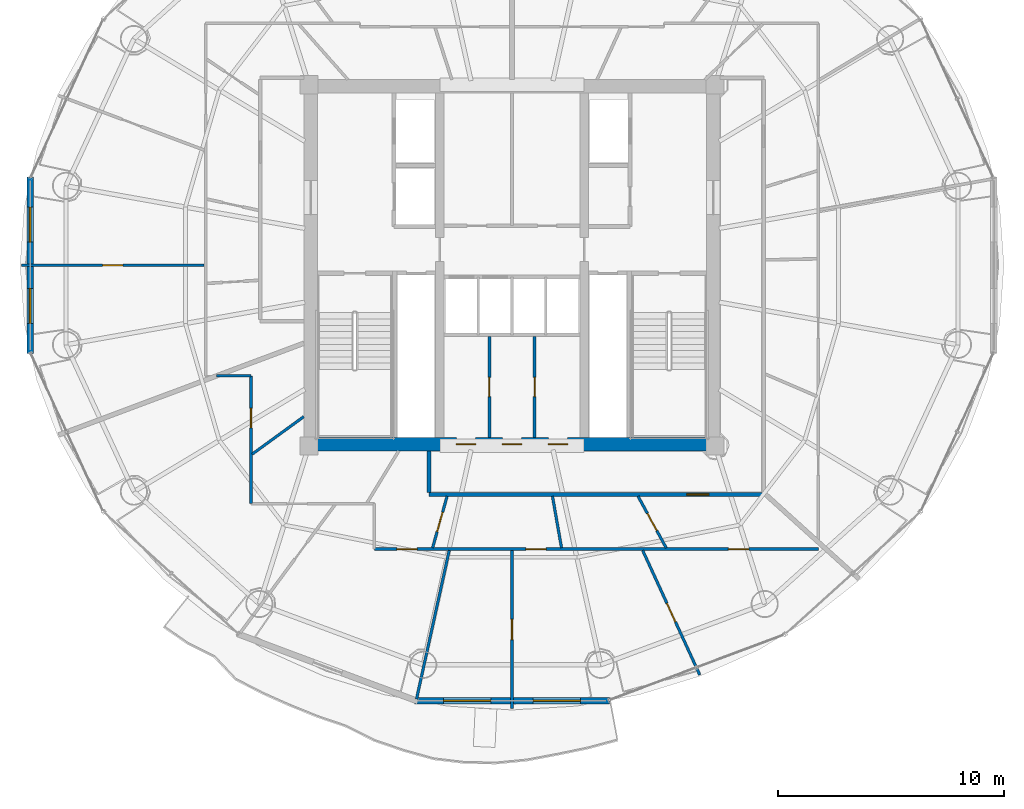
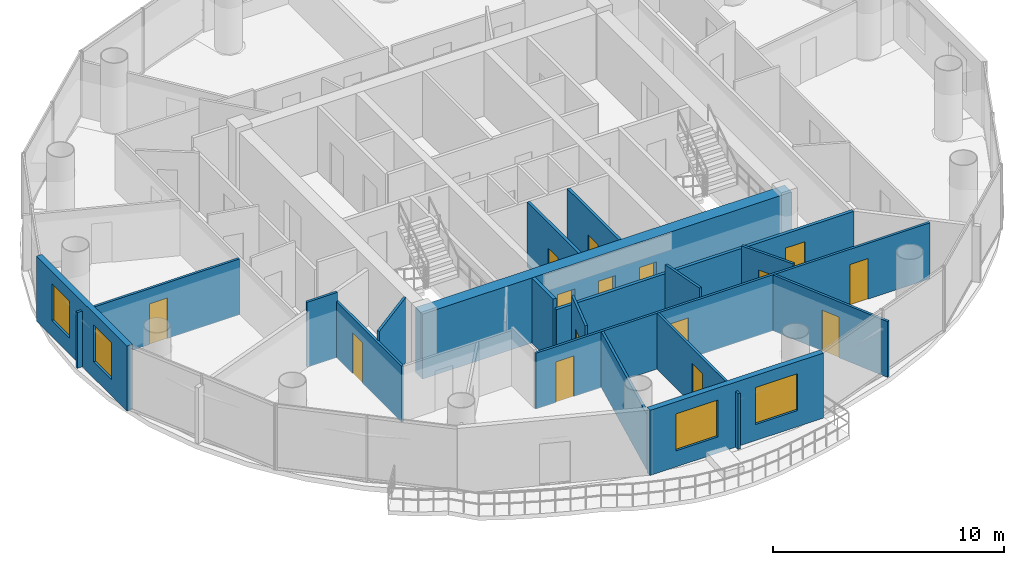
# One storey, part 20 of 26: 18 walls, 15 doors, 4 windows, 19 openings.
"""IFC4 building model written with IfcOpenShell, lengths in metres."""

from ifc_helpers import new_model, si_unit, direction, frame, frame_2d, origin, place, context, subcontext, project, spatial, rectangle, extrude, source, transform, mapped, material, layer, layer_set, type_object, element, fill, save


model = new_model("IFC4")

# Units and contexts
model_context = context("Model", 3, precision=1e-05, world=origin(), true_north=direction((-0.2419218956, 0.970295726276)))
body_context = subcontext(model_context, "Body", "Model", "MODEL_VIEW")
ifc_project = project(units=[si_unit("LENGTHUNIT", "METRE"), si_unit("AREAUNIT", "SQUARE_METRE"), si_unit("VOLUMEUNIT", "CUBIC_METRE"), si_unit("PLANEANGLEUNIT", "RADIAN"), si_unit("MASSUNIT", "GRAM", prefix="KILO")], contexts=[model_context])

# Site, building, storey
site_placement = place(None, origin())
site = spatial("IfcSite", under=ifc_project, at=site_placement, CompositionType="ELEMENT")
building_placement = place(site_placement, origin())
building = spatial("IfcBuilding", under=site, at=building_placement, Name="Cobrevalo Terracotta Tower", CompositionType="ELEMENT")
storey_placement = place(building_placement, frame((0.0, 0.0, 202.300048828125)))
storey = spatial("IfcBuildingStorey", under=building, at=storey_placement, Name="L53", CompositionType="ELEMENT", Elevation=202.300048828125)

# Wall, openings, doors
ifc_material_1 = material(Name="Concrete C55", Category="concrete")
ifc_layer_1 = layer(ifc_material_1, 0.60009765625)
ifc_layer_set_1 = layer_set([ifc_layer_1], Name="Concrete C55")
wall_type_1 = type_object("IfcWallType", Name="Core shear wall 600 mm Concrete C55", PredefinedType="SHEAR", material=ifc_layer_set_1)
wall_1_placement = place(storey_placement, frame((28.77490234375, 18.875, 0.0), z_axis=(0.0, 0.0, 1.0), x_axis=(1.0, 0.0, 0.0)))
wall_1 = element("IfcWall", 1, at=wall_1_placement, inside=storey, type_object=wall_type_1, Name="L53 south core shear wall", PredefinedType="SHEAR", context=body_context, shape_type="SweptSolid", body=[
    extrude(rectangle(XDim=18.4501953125, YDim=0.60009765625, at=frame_2d((9.22509765625, 0.0))), origin(), (0.0, 0.0, 1.0), 3.43505859375),
])
opening_1_placement = place(wall_1_placement, frame((6.760009765625, 0.0, 0.0)))
opening_1 = element("IfcOpeningElement", 2, at=opening_1_placement, cuts=wall_1, Name="Opening ID-22", PredefinedType="OPENING", context=body_context, shape_type="SweptSolid", body=[
    extrude(rectangle(XDim=0.85009765625, YDim=2.10009765625, at=frame_2d((0.425048828125, 1.050048828125))), frame((0.0, 0.31005859375, 0.0), z_axis=(0.0, -1.0, 0.0), x_axis=(1.0, 0.0, 0.0)), (0.0, 0.0, 1.0), 0.6201171875),
])
opening_2_placement = place(wall_1_placement, frame((8.800048828125, 0.0, 0.0)))
opening_2 = element("IfcOpeningElement", 3, at=opening_2_placement, cuts=wall_1, Name="Opening ID-22", PredefinedType="OPENING", context=body_context, shape_type="SweptSolid", body=[
    extrude(rectangle(XDim=0.85009765625, YDim=2.10009765625, at=frame_2d((0.425048828125, 1.050048828125))), frame((0.0, 0.31005859375, 0.0), z_axis=(0.0, -1.0, 0.0), x_axis=(1.0, 0.0, 0.0)), (0.0, 0.0, 1.0), 0.6201171875),
])
opening_3_placement = place(wall_1_placement, frame((10.840087890625, 0.0, 0.0)))
opening_3 = element("IfcOpeningElement", 4, at=opening_3_placement, cuts=wall_1, Name="Opening ID-22", PredefinedType="OPENING", context=body_context, shape_type="SweptSolid", body=[
    extrude(rectangle(XDim=0.85009765625, YDim=2.10009765625, at=frame_2d((0.425048828125, 1.050048828125))), frame((0.0, 0.31005859375, 0.0), z_axis=(0.0, -1.0, 0.0), x_axis=(1.0, 0.0, 0.0)), (0.0, 0.0, 1.0), 0.6201171875),
])
ifc_material_2 = material(Name="Powder-coated steel", Category="steel")
door_type_1 = type_object("IfcDoorType", Name="Riser shaft & meter closet fire access door 850x2100 EI 60", OperationType="NOTDEFINED", PredefinedType="DOOR", material=ifc_material_2)
shared_shape_1 = source(origin(), body_context, "Body", "SweptSolid", [
    extrude(rectangle(XDim=0.85009765625, YDim=2.10009765625, at=frame_2d((0.425048828125, 1.050048828125))), frame((0.0, 0.02490234375, 0.0), z_axis=(0.0, -1.0, 0.0), x_axis=(1.0, 0.0, 0.0)), (0.0, 0.0, 1.0), 0.050048828125),
])
door_1_placement = place(opening_1_placement, origin())
door_1 = element("IfcDoor", 5, at=door_1_placement, inside=storey, type_object=door_type_1, Name="L53 core south plant door HVAC Supply Air Plant", OperationType="SINGLE_SWING_RIGHT", OverallHeight=2.10009765625, OverallWidth=0.85009765625, PredefinedType="DOOR", context=body_context, shape_type="MappedRepresentation", body=[
    mapped(shared_shape_1, transform((0.0, 0.0, 0.0), scale=1.0)),
])
fill(opening_1, door_1)
door_2_placement = place(opening_2_placement, origin())
door_2 = element("IfcDoor", 6, at=door_2_placement, inside=storey, type_object=door_type_1, Name="L53 core south plant door Refuse Chute Store Room", OperationType="SINGLE_SWING_RIGHT", OverallHeight=2.10009765625, OverallWidth=0.85009765625, PredefinedType="DOOR", context=body_context, shape_type="MappedRepresentation", body=[
    mapped(shared_shape_1, transform((0.0, 0.0, 0.0), scale=1.0)),
])
fill(opening_2, door_2)
door_3_placement = place(opening_3_placement, origin())
door_3 = element("IfcDoor", 7, at=door_3_placement, inside=storey, type_object=door_type_1, Name="L53 core south plant door Hydronic Pump Manifold Plant", OperationType="SINGLE_SWING_RIGHT", OverallHeight=2.10009765625, OverallWidth=0.85009765625, PredefinedType="DOOR", context=body_context, shape_type="MappedRepresentation", body=[
    mapped(shared_shape_1, transform((0.0, 0.0, 0.0), scale=1.0)),
])
fill(opening_3, door_3)

# Wall, opening, door
ifc_material_3 = material(Name="Gypsum board on steel stud", Category="steel")
ifc_layer_2 = layer(ifc_material_3, 0.159912109375)
ifc_layer_set_2 = layer_set([ifc_layer_2], Name="Gypsum board on steel stud")
wall_type_2 = type_object("IfcWallType", Name="Fire-rated corridor acoustic partition wall 160 mm", PredefinedType="PARTITIONING", material=ifc_layer_set_2)
wall_2_placement = place(storey_placement, frame((34.320068359375, 16.64501953125, 0.0), z_axis=(0.0, 0.0, 1.0), x_axis=(1.0, 0.0, 0.0)))
wall_2 = element("IfcWall", 8, at=wall_2_placement, inside=storey, type_object=wall_type_2, Name="L53 interior partition IW-L53-COR-S", PredefinedType="PARTITIONING", context=body_context, shape_type="SweptSolid", body=[
    extrude(rectangle(XDim=14.8349609375, YDim=0.159912109375, at=frame_2d((7.41748046875, 0.0))), origin(), (0.0, 0.0, 1.0), 2.950927734375),
])
opening_4_placement = place(wall_2_placement, frame((11.426025390625, 0.0, 0.0)))
opening_4 = element("IfcOpeningElement", 9, at=opening_4_placement, cuts=wall_2, Name="Opening ID-05", PredefinedType="OPENING", context=body_context, shape_type="SweptSolid", body=[
    extrude(rectangle(XDim=0.97998046875, YDim=2.199951171875, at=frame_2d((0.489990234375, 1.10009765625))), frame((0.0, 0.08984375, 0.0), z_axis=(0.0, -1.0, 0.0), x_axis=(1.0, 0.0, 0.0)), (0.0, 0.0, 1.0), 0.179931640625),
])
ifc_material_4 = material(Name="Solid hardwood timber", Category="wood")
door_type_2 = type_object("IfcDoorType", Name="Residence entrance fire-rated acoustic timber door 980x2200 EI 60", OperationType="NOTDEFINED", PredefinedType="DOOR", material=ifc_material_4)
shared_shape_2 = source(origin(), body_context, "Body", "SweptSolid", [
    extrude(rectangle(XDim=0.97998046875, YDim=2.199951171875, at=frame_2d((0.489990234375, 1.10009765625))), frame((0.0, 0.02490234375, 0.0), z_axis=(0.0, -1.0, 0.0), x_axis=(1.0, 0.0, 0.0)), (0.0, 0.0, 1.0), 0.050048828125),
])
door_4_placement = place(opening_4_placement, frame((0.97998046875, 0.0, 0.0), z_axis=(0.0, 0.0, 1.0), x_axis=(-1.0, 0.0, 0.0)))
door_4 = element("IfcDoor", 10, at=door_4_placement, inside=storey, type_object=door_type_2, Name="Flat L53B fire-rated apartment entrance door", OperationType="SINGLE_SWING_RIGHT", OverallHeight=2.199951171875, OverallWidth=0.97998046875, PredefinedType="DOOR", context=body_context, shape_type="MappedRepresentation", body=[
    mapped(shared_shape_2, transform((0.0, 0.0, 0.0), scale=1.0)),
])
fill(opening_4, door_4)

# Wall
wall_3_placement = place(storey_placement, frame((34.320068359375, 16.72509765625, 0.0), z_axis=(0.0, 0.0, 1.0), x_axis=(0.0, 1.0, 0.0)))
element("IfcWall", 11, at=wall_3_placement, inside=storey, type_object=wall_type_2, Name="L53 interior partition IW-L53-COR-SW-CAP", PredefinedType="PARTITIONING", context=body_context, shape_type="SweptSolid", body=[
    extrude(rectangle(XDim=1.849853515625, YDim=0.159912109375, at=frame_2d((0.9248046875, 0.0))), origin(), (0.0, 0.0, 1.0), 3.43505859375),
])

# Wall, openings, windows
ifc_material_5 = material(Name="Autoclaved aerated concrete block", Category="concrete")
ifc_layer_3 = layer(ifc_material_5, 0.280029296875)
ifc_layer_set_3 = layer_set([ifc_layer_3], Name="Autoclaved aerated concrete block")
wall_type_3 = type_object("IfcWallType", Name="Insulated tower spandrel & pier wall 280 mm with terracotta rainscreen", PredefinedType="SOLIDWALL", material=ifc_layer_set_3)
wall_4_placement = place(storey_placement, frame((16.648193359375, 30.717529296875, 0.0), z_axis=(0.0, 0.0, 1.0), x_axis=(0.0, -1.0, 0.0)))
wall_4 = element("IfcWall", 12, at=wall_4_placement, inside=storey, type_object=wall_type_3, Name="L53 terracotta rainscreen pier wall S08", PredefinedType="SOLIDWALL", context=body_context, shape_type="SweptSolid", body=[
    extrude(rectangle(XDim=7.8349609375, YDim=0.280029296875, at=frame_2d((3.91748046875, 0.0))), origin(), (0.0, 0.0, 1.0), 3.43505859375),
])
opening_5_placement = place(wall_4_placement, frame((1.34033203125, 0.0, 0.85009765625)))
opening_5 = element("IfcOpeningElement", 13, at=opening_5_placement, cuts=wall_4, Name="Opening WN-12", PredefinedType="OPENING", context=body_context, shape_type="SweptSolid", body=[
    extrude(rectangle(XDim=1.550048828125, YDim=1.949951171875, at=frame_2d((0.77490234375, 0.97509765625))), frame((0.0, 0.14990234375, 0.0), z_axis=(0.0, -1.0, 0.0), x_axis=(1.0, 0.0, 0.0)), (0.0, 0.0, 1.0), 0.300048828125),
])
opening_6_placement = place(wall_4_placement, frame((4.9443359375, 0.0, 0.85009765625)))
opening_6 = element("IfcOpeningElement", 14, at=opening_6_placement, cuts=wall_4, Name="Opening WN-12", PredefinedType="OPENING", context=body_context, shape_type="SweptSolid", body=[
    extrude(rectangle(XDim=1.550048828125, YDim=1.949951171875, at=frame_2d((0.77490234375, 0.97509765625))), frame((0.0, 0.14990234375, 0.0), z_axis=(0.0, -1.0, 0.0), x_axis=(1.0, 0.0, 0.0)), (0.0, 0.0, 1.0), 0.300048828125),
])
ifc_material_6 = material(Name="Solar-control low-E double glazing", Category="glass")
window_type_1 = type_object("IfcWindowType", Name="Solar-control low-E aluminium window 1550x1950", PartitioningType="SINGLE_PANEL", PredefinedType="WINDOW", material=ifc_material_6)
shared_shape_3 = source(origin(), body_context, "Body", "SweptSolid", [
    extrude(rectangle(XDim=1.550048828125, YDim=1.949951171875, at=frame_2d((0.77490234375, 0.97509765625))), frame((0.0, 0.030029296875, 0.0), z_axis=(0.0, -1.0, 0.0), x_axis=(1.0, 0.0, 0.0)), (0.0, 0.0, 1.0), 0.06005859375),
])
window_1_placement = place(opening_5_placement, origin())
window_1 = element("IfcWindow", 15, at=window_1_placement, inside=storey, type_object=window_type_1, Name="L53 suite window S08A", OverallHeight=1.949951171875, OverallWidth=1.550048828125, PartitioningType="SINGLE_PANEL", PredefinedType="WINDOW", context=body_context, shape_type="MappedRepresentation", body=[
    mapped(shared_shape_3, transform((0.0, 0.0, 0.0), scale=1.0)),
])
fill(opening_5, window_1)
window_2_placement = place(opening_6_placement, origin())
window_2 = element("IfcWindow", 16, at=window_2_placement, inside=storey, type_object=window_type_1, Name="L53 suite window S08B", OverallHeight=1.949951171875, OverallWidth=1.550048828125, PartitioningType="SINGLE_PANEL", PredefinedType="WINDOW", context=body_context, shape_type="MappedRepresentation", body=[
    mapped(shared_shape_3, transform((0.0, 0.0, 0.0), scale=1.0)),
])
fill(opening_6, window_2)

wall_5_placement = place(storey_placement, frame((33.6728515625, 7.508056640625, 0.0), z_axis=(0.0, 0.0, 1.0), x_axis=(1.0, 0.0, 0.0)))
wall_5 = element("IfcWall", 17, at=wall_5_placement, inside=storey, type_object=wall_type_3, Name="L53 terracotta rainscreen pier wall S12", PredefinedType="SOLIDWALL", context=body_context, shape_type="SweptSolid", body=[
    extrude(rectangle(XDim=8.654296875, YDim=0.280029296875, at=frame_2d((4.3271484375, 0.0))), origin(), (0.0, 0.0, 1.0), 3.43505859375),
])
opening_7_placement = place(wall_5_placement, frame((1.28662109375, 0.0, 0.85009765625)))
opening_7 = element("IfcOpeningElement", 18, at=opening_7_placement, cuts=wall_5, Name="Opening WN-10", PredefinedType="OPENING", context=body_context, shape_type="SweptSolid", body=[
    extrude(rectangle(XDim=2.10009765625, YDim=1.949951171875, at=frame_2d((1.050048828125, 0.97509765625))), frame((0.0, 0.14990234375, 0.0), z_axis=(0.0, -1.0, 0.0), x_axis=(1.0, 0.0, 0.0)), (0.0, 0.0, 1.0), 0.300048828125),
])
opening_8_placement = place(wall_5_placement, frame((5.267578125, 0.0, 0.85009765625)))
opening_8 = element("IfcOpeningElement", 19, at=opening_8_placement, cuts=wall_5, Name="Opening WN-10", PredefinedType="OPENING", context=body_context, shape_type="SweptSolid", body=[
    extrude(rectangle(XDim=2.10009765625, YDim=1.949951171875, at=frame_2d((1.050048828125, 0.97509765625))), frame((0.0, 0.14990234375, 0.0), z_axis=(0.0, -1.0, 0.0), x_axis=(1.0, 0.0, 0.0)), (0.0, 0.0, 1.0), 0.300048828125),
])
window_type_2 = type_object("IfcWindowType", Name="Wide panoramic low-E aluminium window 2100x1950", PartitioningType="SINGLE_PANEL", PredefinedType="WINDOW", material=ifc_material_6)
shared_shape_4 = source(origin(), body_context, "Body", "SweptSolid", [
    extrude(rectangle(XDim=2.10009765625, YDim=1.949951171875, at=frame_2d((1.050048828125, 0.97509765625))), frame((0.0, 0.030029296875, 0.0), z_axis=(0.0, -1.0, 0.0), x_axis=(1.0, 0.0, 0.0)), (0.0, 0.0, 1.0), 0.06005859375),
])
window_3_placement = place(opening_7_placement, origin())
window_3 = element("IfcWindow", 20, at=window_3_placement, inside=storey, type_object=window_type_2, Name="L53 suite window S12A", OverallHeight=1.949951171875, OverallWidth=2.10009765625, PartitioningType="SINGLE_PANEL", PredefinedType="WINDOW", context=body_context, shape_type="MappedRepresentation", body=[
    mapped(shared_shape_4, transform((0.0, 0.0, 0.0), scale=1.0)),
])
fill(opening_7, window_3)
window_4_placement = place(opening_8_placement, origin())
window_4 = element("IfcWindow", 21, at=window_4_placement, inside=storey, type_object=window_type_2, Name="L53 suite window S12B", OverallHeight=1.949951171875, OverallWidth=2.10009765625, PartitioningType="SINGLE_PANEL", PredefinedType="WINDOW", context=body_context, shape_type="MappedRepresentation", body=[
    mapped(shared_shape_4, transform((0.0, 0.0, 0.0), scale=1.0)),
])
fill(opening_8, window_4)

# Wall, opening, door
ifc_layer_4 = layer(ifc_material_5, 0.139892578125)
ifc_layer_set_4 = layer_set([ifc_layer_4], Name="Autoclaved aerated concrete block")
wall_type_4 = type_object("IfcWallType", Name="Moisture-resistant wet-room & core service partition 140 mm", PredefinedType="PARTITIONING", material=ifc_layer_set_4)
wall_6_placement = place(storey_placement, frame((37.0, 19.175048828125, 0.0), z_axis=(0.0, 0.0, 1.0), x_axis=(0.0, 1.0, 0.0)))
wall_6 = element("IfcWall", 22, at=wall_6_placement, inside=storey, type_object=wall_type_4, Name="L53 interior partition IW-L53-KVS-V1", PredefinedType="PARTITIONING", context=body_context, shape_type="SweptSolid", body=[
    extrude(rectangle(XDim=4.46484375, YDim=0.139892578125, at=frame_2d((2.232421875, 0.0))), origin(), (0.0, 0.0, 1.0), 3.43505859375),
])
opening_9_placement = place(wall_6_placement, frame((1.8076171875, 0.0, 0.0)))
opening_9 = element("IfcOpeningElement", 23, at=opening_9_placement, cuts=wall_6, Name="Opening ID-22", PredefinedType="OPENING", context=body_context, shape_type="SweptSolid", body=[
    extrude(rectangle(XDim=0.85009765625, YDim=2.10009765625, at=frame_2d((0.425048828125, 1.050048828125))), frame((0.0, 0.080078125, 0.0), z_axis=(0.0, -1.0, 0.0), x_axis=(1.0, 0.0, 0.0)), (0.0, 0.0, 1.0), 0.159912109375),
])
door_5_placement = place(opening_9_placement, origin())
door_5 = element("IfcDoor", 24, at=door_5_placement, inside=storey, type_object=door_type_1, Name="L53 core KVS-V1 inner door", OperationType="SINGLE_SWING_LEFT", OverallHeight=2.10009765625, OverallWidth=0.85009765625, PredefinedType="DOOR", context=body_context, shape_type="MappedRepresentation", body=[
    mapped(shared_shape_1, transform((0.0, 0.0, 0.0), scale=1.0)),
])
fill(opening_9, door_5)

wall_7_placement = place(storey_placement, frame((39.0, 19.175048828125, 0.0), z_axis=(0.0, 0.0, 1.0), x_axis=(0.0, 1.0, 0.0)))
wall_7 = element("IfcWall", 25, at=wall_7_placement, inside=storey, type_object=wall_type_4, Name="L53 interior partition IW-L53-KVS-V2", PredefinedType="PARTITIONING", context=body_context, shape_type="SweptSolid", body=[
    extrude(rectangle(XDim=4.46484375, YDim=0.139892578125, at=frame_2d((2.232421875, 0.0))), origin(), (0.0, 0.0, 1.0), 3.43505859375),
])
opening_10_placement = place(wall_7_placement, frame((1.8076171875, 0.0, 0.0)))
opening_10 = element("IfcOpeningElement", 26, at=opening_10_placement, cuts=wall_7, Name="Opening ID-22", PredefinedType="OPENING", context=body_context, shape_type="SweptSolid", body=[
    extrude(rectangle(XDim=0.85009765625, YDim=2.10009765625, at=frame_2d((0.425048828125, 1.050048828125))), frame((0.0, 0.080078125, 0.0), z_axis=(0.0, -1.0, 0.0), x_axis=(1.0, 0.0, 0.0)), (0.0, 0.0, 1.0), 0.159912109375),
])
door_6_placement = place(opening_10_placement, origin())
door_6 = element("IfcDoor", 27, at=door_6_placement, inside=storey, type_object=door_type_1, Name="L53 core KVS-V2 inner door", OperationType="SINGLE_SWING_LEFT", OverallHeight=2.10009765625, OverallWidth=0.85009765625, PredefinedType="DOOR", context=body_context, shape_type="MappedRepresentation", body=[
    mapped(shared_shape_1, transform((0.0, 0.0, 0.0), scale=1.0)),
])
fill(opening_10, door_6)

ifc_layer_5 = layer(ifc_material_3, 0.1201171875)
ifc_layer_set_5 = layer_set([ifc_layer_5], Name="Gypsum board on steel stud")
wall_type_5 = type_object("IfcWallType", Name="Residential internal acoustic stud partition 120 mm", PredefinedType="PARTITIONING", material=ifc_layer_set_5)
wall_8_placement = place(storey_placement, frame((24.363037109375, 26.800048828125, 0.0), z_axis=(0.0, 0.0, 1.0), x_axis=(-1.0, 0.0, 0.0)))
wall_8 = element("IfcWall", 28, at=wall_8_placement, inside=storey, type_object=wall_type_5, Name="L53 interior partition IW-L53-U1-ORAD3", PredefinedType="PARTITIONING", context=body_context, shape_type="SweptSolid", body=[
    extrude(rectangle(XDim=8.10302734375, YDim=0.1201171875, at=frame_2d((4.051513671875, 0.0))), origin(), (0.0, 0.0, 1.0), 2.950927734375),
])
opening_11_placement = place(wall_8_placement, frame((3.6015625, 0.0, 0.0)))
opening_11 = element("IfcOpeningElement", 29, at=opening_11_placement, cuts=wall_8, Name="Opening ID-12", PredefinedType="OPENING", context=body_context, shape_type="SweptSolid", body=[
    extrude(rectangle(XDim=0.89990234375, YDim=2.14990234375, at=frame_2d((0.449951171875, 1.074951171875))), frame((0.0, 0.070068359375, 0.0), z_axis=(0.0, -1.0, 0.0), x_axis=(1.0, 0.0, 0.0)), (0.0, 0.0, 1.0), 0.14013671875),
])
ifc_material_7 = material(Name="Engineered timber", Category="wood")
door_type_3 = type_object("IfcDoorType", Name="Internal residence & suite timber door 900x2150", OperationType="NOTDEFINED", PredefinedType="DOOR", material=ifc_material_7)
shared_shape_5 = source(origin(), body_context, "Body", "SweptSolid", [
    extrude(rectangle(XDim=0.89990234375, YDim=2.14990234375, at=frame_2d((0.449951171875, 1.074951171875))), frame((0.0, 0.02490234375, 0.0), z_axis=(0.0, -1.0, 0.0), x_axis=(1.0, 0.0, 0.0)), (0.0, 0.0, 1.0), 0.050048828125),
])
door_7_placement = place(opening_11_placement, origin())
door_7 = element("IfcDoor", 30, at=door_7_placement, inside=storey, type_object=door_type_3, Name="Flat L53A Principal Guest Bedroom internal door", OperationType="SINGLE_SWING_RIGHT", OverallHeight=2.14990234375, OverallWidth=0.89990234375, PredefinedType="DOOR", context=body_context, shape_type="MappedRepresentation", body=[
    mapped(shared_shape_5, transform((0.0, 0.0, 0.0), scale=1.0)),
])
fill(opening_11, door_7)

# Wall, openings, doors
wall_9_placement = place(storey_placement, frame((51.574951171875, 14.22509765625, 0.0), z_axis=(0.0, 0.0, 1.0), x_axis=(-1.0, 0.0, 0.0)))
wall_9 = element("IfcWall", 31, at=wall_9_placement, inside=storey, type_object=wall_type_5, Name="L53 interior partition IW-L53-U2-RING1_0", PredefinedType="PARTITIONING", context=body_context, shape_type="SweptSolid", body=[
    extrude(rectangle(XDim=19.675048828125, YDim=0.1201171875, at=frame_2d((9.83740234375, 0.0))), origin(), (0.0, 0.0, 1.0), 2.950927734375),
])
opening_12_placement = place(wall_9_placement, frame((3.0830078125, 0.0, 0.0)))
opening_12 = element("IfcOpeningElement", 32, at=opening_12_placement, cuts=wall_9, Name="Opening ID-12", PredefinedType="OPENING", context=body_context, shape_type="SweptSolid", body=[
    extrude(rectangle(XDim=0.89990234375, YDim=2.14990234375, at=frame_2d((0.449951171875, 1.074951171875))), frame((0.0, 0.070068359375, 0.0), z_axis=(0.0, -1.0, 0.0), x_axis=(1.0, 0.0, 0.0)), (0.0, 0.0, 1.0), 0.14013671875),
])
opening_13_placement = place(wall_9_placement, frame((12.06298828125, 0.0, 0.0)))
opening_13 = element("IfcOpeningElement", 33, at=opening_13_placement, cuts=wall_9, Name="Opening ID-12", PredefinedType="OPENING", context=body_context, shape_type="SweptSolid", body=[
    extrude(rectangle(XDim=0.89990234375, YDim=2.14990234375, at=frame_2d((0.449951171875, 1.074951171875))), frame((0.0, 0.070068359375, 0.0), z_axis=(0.0, -1.0, 0.0), x_axis=(1.0, 0.0, 0.0)), (0.0, 0.0, 1.0), 0.14013671875),
])
opening_14_placement = place(wall_9_placement, frame((17.77734375, 0.0, 0.0)))
opening_14 = element("IfcOpeningElement", 34, at=opening_14_placement, cuts=wall_9, Name="Opening ID-12", PredefinedType="OPENING", context=body_context, shape_type="SweptSolid", body=[
    extrude(rectangle(XDim=0.89990234375, YDim=2.14990234375, at=frame_2d((0.449951171875, 1.074951171875))), frame((0.0, 0.070068359375, 0.0), z_axis=(0.0, -1.0, 0.0), x_axis=(1.0, 0.0, 0.0)), (0.0, 0.0, 1.0), 0.14013671875),
])
door_8_placement = place(opening_12_placement, origin())
door_8 = element("IfcDoor", 35, at=door_8_placement, inside=storey, type_object=door_type_3, Name="Flat L53B Penthouse Family Lounge internal door", OperationType="SINGLE_SWING_RIGHT", OverallHeight=2.14990234375, OverallWidth=0.89990234375, PredefinedType="DOOR", context=body_context, shape_type="MappedRepresentation", body=[
    mapped(shared_shape_5, transform((0.0, 0.0, 0.0), scale=1.0)),
])
fill(opening_12, door_8)
door_9_placement = place(opening_13_placement, frame((0.89990234375, 0.0, 0.0), z_axis=(0.0, 0.0, 1.0), x_axis=(-1.0, 0.0, 0.0)))
door_9 = element("IfcDoor", 36, at=door_9_placement, inside=storey, type_object=door_type_3, Name="Flat L53B Kitchen internal door", OperationType="SINGLE_SWING_RIGHT", OverallHeight=2.14990234375, OverallWidth=0.89990234375, PredefinedType="DOOR", context=body_context, shape_type="MappedRepresentation", body=[
    mapped(shared_shape_5, transform((0.0, 0.0, 0.0), scale=1.0)),
])
fill(opening_13, door_9)
door_10_placement = place(opening_14_placement, origin())
door_10 = element("IfcDoor", 37, at=door_10_placement, inside=storey, type_object=door_type_3, Name="Flat L53B Master Bedroom internal door", OperationType="SINGLE_SWING_RIGHT", OverallHeight=2.14990234375, OverallWidth=0.89990234375, PredefinedType="DOOR", context=body_context, shape_type="MappedRepresentation", body=[
    mapped(shared_shape_5, transform((0.0, 0.0, 0.0), scale=1.0)),
])
fill(opening_14, door_10)

# Wall, opening, door
wall_10_placement = place(storey_placement, frame((26.43505859375, 16.235107421875, 0.0), z_axis=(0.0, 0.0, 1.0), x_axis=(0.0, 1.0, 0.0)))
wall_10 = element("IfcWall", 38, at=wall_10_placement, inside=storey, type_object=wall_type_5, Name="L53 interior partition IW-L53-U2-RING4_0", PredefinedType="PARTITIONING", context=body_context, shape_type="SweptSolid", body=[
    extrude(rectangle(XDim=5.664794921875, YDim=0.1201171875, at=frame_2d((2.83251953125, 0.0))), origin(), (0.0, 0.0, 1.0), 2.950927734375),
])
opening_15_placement = place(wall_10_placement, frame((3.36181640625, 0.0, 0.0)))
opening_15 = element("IfcOpeningElement", 39, at=opening_15_placement, cuts=wall_10, Name="Opening ID-19", PredefinedType="OPENING", context=body_context, shape_type="SweptSolid", body=[
    extrude(rectangle(XDim=0.860107421875, YDim=2.14990234375, at=frame_2d((0.43017578125, 1.074951171875))), frame((0.0, 0.070068359375, 0.0), z_axis=(0.0, -1.0, 0.0), x_axis=(1.0, 0.0, 0.0)), (0.0, 0.0, 1.0), 0.14013671875),
])
ifc_material_8 = material(Name="Moisture-sealed timber", Category="wood")
door_type_4 = type_object("IfcDoorType", Name="Suite bathroom internal timber door 860x2150", OperationType="NOTDEFINED", PredefinedType="DOOR", material=ifc_material_8)
shared_shape_6 = source(origin(), body_context, "Body", "SweptSolid", [
    extrude(rectangle(XDim=0.860107421875, YDim=2.14990234375, at=frame_2d((0.43017578125, 1.074951171875))), frame((0.0, 0.02490234375, 0.0), z_axis=(0.0, -1.0, 0.0), x_axis=(1.0, 0.0, 0.0)), (0.0, 0.0, 1.0), 0.050048828125),
])
door_11_placement = place(opening_15_placement, frame((0.860107421875, 0.0, 0.0), z_axis=(0.0, 0.0, 1.0), x_axis=(-1.0, 0.0, 0.0)))
door_11 = element("IfcDoor", 40, at=door_11_placement, inside=storey, type_object=door_type_4, Name="Flat L53B Guest Bathroom internal door", OperationType="SINGLE_SWING_LEFT", OverallHeight=2.14990234375, OverallWidth=0.860107421875, PredefinedType="DOOR", context=body_context, shape_type="MappedRepresentation", body=[
    mapped(shared_shape_6, transform((0.0, 0.0, 0.0), scale=1.0)),
])
fill(opening_15, door_11)

# Walls
wall_11_placement = place(storey_placement, frame((26.43505859375, 21.89990234375, 0.0), z_axis=(0.0, 0.0, 1.0), x_axis=(-1.0, 0.0, 0.0)))
element("IfcWall", 41, at=wall_11_placement, inside=storey, type_object=wall_type_5, Name="L53 interior partition IW-L53-U2-RING5_0", PredefinedType="PARTITIONING", context=body_context, shape_type="SweptSolid", body=[
    extrude(rectangle(XDim=1.525634765625, YDim=0.1201171875, at=frame_2d((0.7626953125, 0.0))), origin(), (0.0, 0.0, 1.0), 3.43505859375),
])
wall_12_placement = place(storey_placement, frame((35.21875, 14.16455078125, 0.0), z_axis=(0.0, 0.0, 1.0), x_axis=(-0.214959845337, -0.976622887758, 0.0)))
element("IfcWall", 42, at=wall_12_placement, inside=storey, type_object=wall_type_5, Name="L53 interior partition IW-L53-U2-ORAD2M1", PredefinedType="PARTITIONING", context=body_context, shape_type="SweptSolid", body=[
    extrude(rectangle(XDim=6.744140625, YDim=0.1201171875, at=frame_2d((3.3720703125, 0.0))), origin(), (0.0, 0.0, 1.0), 2.950927734375),
])

# Wall, opening, door
wall_13_placement = place(storey_placement, frame((38.0, 14.1630859375, 0.0), z_axis=(0.0, 0.0, 1.0), x_axis=(0.0, -1.0, 0.0)))
wall_13 = element("IfcWall", 43, at=wall_13_placement, inside=storey, type_object=wall_type_5, Name="L53 interior partition IW-L53-U2-ORAD2", PredefinedType="PARTITIONING", context=body_context, shape_type="SweptSolid", body=[
    extrude(rectangle(XDim=7.003173828125, YDim=0.1201171875, at=frame_2d((3.50146484375, 0.0))), origin(), (0.0, 0.0, 1.0), 2.950927734375),
])
opening_16_placement = place(wall_13_placement, frame((3.051513671875, 0.0, 0.0)))
opening_16 = element("IfcOpeningElement", 44, at=opening_16_placement, cuts=wall_13, Name="Opening ID-12", PredefinedType="OPENING", context=body_context, shape_type="SweptSolid", body=[
    extrude(rectangle(XDim=0.89990234375, YDim=2.14990234375, at=frame_2d((0.449951171875, 1.074951171875))), frame((0.0, 0.070068359375, 0.0), z_axis=(0.0, -1.0, 0.0), x_axis=(1.0, 0.0, 0.0)), (0.0, 0.0, 1.0), 0.14013671875),
])
door_12_placement = place(opening_16_placement, frame((0.89990234375, 0.0, 0.0), z_axis=(0.0, 0.0, 1.0), x_axis=(-1.0, 0.0, 0.0)))
door_12 = element("IfcDoor", 45, at=door_12_placement, inside=storey, type_object=door_type_3, Name="Flat L53B Principal Guest Bedroom internal door", OperationType="SINGLE_SWING_LEFT", OverallHeight=2.14990234375, OverallWidth=0.89990234375, PredefinedType="DOOR", context=body_context, shape_type="MappedRepresentation", body=[
    mapped(shared_shape_5, transform((0.0, 0.0, 0.0), scale=1.0)),
])
fill(opening_16, door_12)

wall_14_placement = place(storey_placement, frame((43.789794921875, 14.168701171875, 0.0), z_axis=(0.0, 0.0, 1.0), x_axis=(0.416687974363, -0.909049576218, 0.0)))
wall_14 = element("IfcWall", 46, at=wall_14_placement, inside=storey, type_object=wall_type_5, Name="L53 interior partition IW-L53-U2-ORAD3", PredefinedType="PARTITIONING", context=body_context, shape_type="SweptSolid", body=[
    extrude(rectangle(XDim=6.0654296875, YDim=0.1201171875, at=frame_2d((3.03271484375, 0.0))), origin(), (0.0, 0.0, 1.0), 2.950927734375),
])
opening_17_placement = place(wall_14_placement, frame((2.58251953125, 0.0, 0.0)))
opening_17 = element("IfcOpeningElement", 47, at=opening_17_placement, cuts=wall_14, Name="Opening ID-12", PredefinedType="OPENING", context=body_context, shape_type="SweptSolid", body=[
    extrude(rectangle(XDim=0.89990234375, YDim=2.14990234375, at=frame_2d((0.449951171875, 1.074951171875))), frame((0.0, 0.070068359375, 0.0), z_axis=(0.0, -1.0, 0.0), x_axis=(1.0, 0.0, 0.0)), (0.0, 0.0, 1.0), 0.14013671875),
])
door_13_placement = place(opening_17_placement, frame((0.89990234375, 0.0, 0.0), z_axis=(0.0, 0.0, 1.0), x_axis=(-1.0, 0.0, 0.0)))
door_13 = element("IfcDoor", 48, at=door_13_placement, inside=storey, type_object=door_type_3, Name="Flat L53B Principal Guest Bedroom internal door", OperationType="SINGLE_SWING_LEFT", OverallHeight=2.14990234375, OverallWidth=0.89990234375, PredefinedType="DOOR", context=body_context, shape_type="MappedRepresentation", body=[
    mapped(shared_shape_5, transform((0.0, 0.0, 0.0), scale=1.0)),
])
fill(opening_17, door_13)

# Wall
wall_15_placement = place(storey_placement, frame((28.77490234375, 20.094482421875, 0.0), z_axis=(0.0, 0.0, 1.0), x_axis=(-0.808862864425, -0.587997335499, 0.0)))
element("IfcWall", 49, at=wall_15_placement, inside=storey, type_object=wall_type_5, Name="L53 interior partition IW-L53-U2-IRAD1", PredefinedType="PARTITIONING", context=body_context, shape_type="SweptSolid", body=[
    extrude(rectangle(XDim=2.830810546875, YDim=0.1201171875, at=frame_2d((1.41552734375, 0.0))), origin(), (0.0, 0.0, 1.0), 3.43505859375),
])

# Wall, opening, door
wall_16_placement = place(storey_placement, frame((35.12353515625, 16.56494140625, 0.0), z_axis=(0.0, 0.0, 1.0), x_axis=(-0.270566477163, -0.962701293982, 0.0)))
wall_16 = element("IfcWall", 50, at=wall_16_placement, inside=storey, type_object=wall_type_5, Name="L53 interior partition IW-L53-U2-IRAD3", PredefinedType="PARTITIONING", context=body_context, shape_type="SweptSolid", body=[
    extrude(rectangle(XDim=2.36865234375, YDim=0.1201171875, at=frame_2d((1.184326171875, 0.0))), origin(), (0.0, 0.0, 1.0), 3.43505859375),
])
opening_18_placement = place(wall_16_placement, frame((0.734375, 0.0, 0.0)))
opening_18 = element("IfcOpeningElement", 51, at=opening_18_placement, cuts=wall_16, Name="Opening ID-12", PredefinedType="OPENING", context=body_context, shape_type="SweptSolid", body=[
    extrude(rectangle(XDim=0.89990234375, YDim=2.14990234375, at=frame_2d((0.449951171875, 1.074951171875))), frame((0.0, 0.070068359375, 0.0), z_axis=(0.0, -1.0, 0.0), x_axis=(1.0, 0.0, 0.0)), (0.0, 0.0, 1.0), 0.14013671875),
])
door_14_placement = place(opening_18_placement, frame((0.89990234375, 0.0, 0.0), z_axis=(0.0, 0.0, 1.0), x_axis=(-1.0, 0.0, 0.0)))
door_14 = element("IfcDoor", 52, at=door_14_placement, inside=storey, type_object=door_type_3, Name="Flat L53B Home Office Study internal door", OperationType="SINGLE_SWING_LEFT", OverallHeight=2.14990234375, OverallWidth=0.89990234375, PredefinedType="DOOR", context=body_context, shape_type="MappedRepresentation", body=[
    mapped(shared_shape_5, transform((0.0, 0.0, 0.0), scale=1.0)),
])
fill(opening_18, door_14)

# Wall
wall_17_placement = place(storey_placement, frame((39.7939453125, 16.56494140625, 0.0), z_axis=(0.0, 0.0, 1.0), x_axis=(0.172641422295, -0.984984740647, 0.0)))
element("IfcWall", 53, at=wall_17_placement, inside=storey, type_object=wall_type_5, Name="L53 interior partition IW-L53-U2-IRAD4", PredefinedType="PARTITIONING", context=body_context, shape_type="SweptSolid", body=[
    extrude(rectangle(XDim=2.3134765625, YDim=0.1201171875, at=frame_2d((1.15673828125, 0.0))), origin(), (0.0, 0.0, 1.0), 3.43505859375),
])

# Wall, opening, door
wall_18_placement = place(storey_placement, frame((43.58544921875, 16.56494140625, 0.0), z_axis=(0.0, 0.0, 1.0), x_axis=(0.479068920965, -0.877777288932, 0.0)))
wall_18 = element("IfcWall", 54, at=wall_18_placement, inside=storey, type_object=wall_type_5, Name="L53 interior partition IW-L53-U2-IRAD5", PredefinedType="PARTITIONING", context=body_context, shape_type="SweptSolid", body=[
    extrude(rectangle(XDim=2.603515625, YDim=0.1201171875, at=frame_2d((1.3017578125, 0.0))), origin(), (0.0, 0.0, 1.0), 3.10986328125),
])
opening_19_placement = place(wall_18_placement, frame((0.871826171875, 0.0, 0.0)))
opening_19 = element("IfcOpeningElement", 55, at=opening_19_placement, cuts=wall_18, Name="Opening ID-19", PredefinedType="OPENING", context=body_context, shape_type="SweptSolid", body=[
    extrude(rectangle(XDim=0.860107421875, YDim=2.14990234375, at=frame_2d((0.43017578125, 1.074951171875))), frame((0.0, 0.070068359375, 0.0), z_axis=(0.0, -1.0, 0.0), x_axis=(1.0, 0.0, 0.0)), (0.0, 0.0, 1.0), 0.14013671875),
])
door_15_placement = place(opening_19_placement, frame((0.860107421875, 0.0, 0.0), z_axis=(0.0, 0.0, 1.0), x_axis=(-1.0, 0.0, 0.0)))
door_15 = element("IfcDoor", 56, at=door_15_placement, inside=storey, type_object=door_type_4, Name="Flat L53B Primary Bathroom internal door", OperationType="SINGLE_SWING_LEFT", OverallHeight=2.14990234375, OverallWidth=0.860107421875, PredefinedType="DOOR", context=body_context, shape_type="MappedRepresentation", body=[
    mapped(shared_shape_6, transform((0.0, 0.0, 0.0), scale=1.0)),
])
fill(opening_19, door_15)

save(model, "model.ifc")
